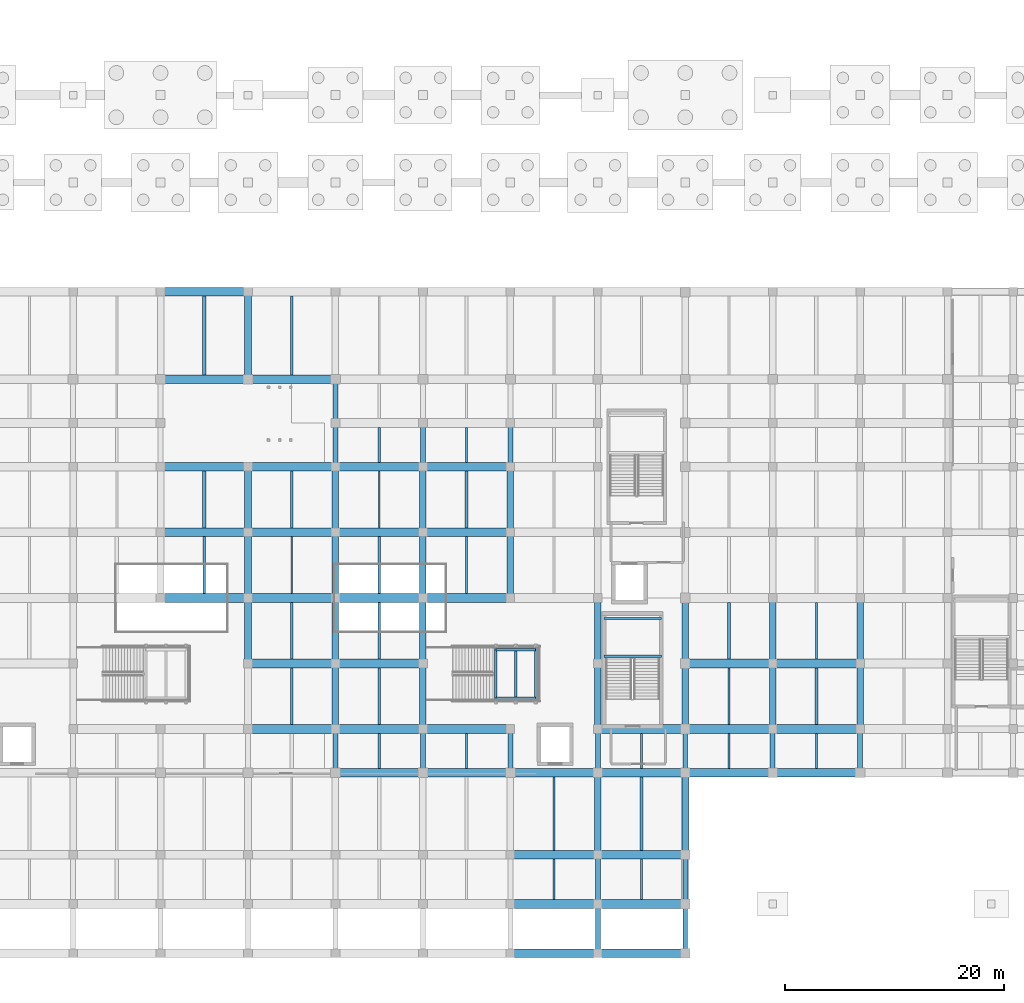
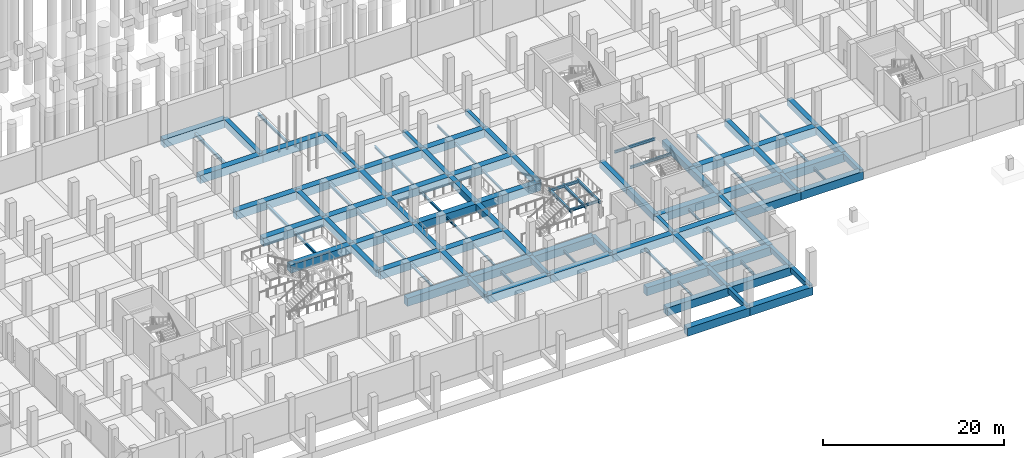
# One storey, part 14 of 36: 112 beams.
"""IFC4 building model written with IfcOpenShell, lengths in metres."""

from ifc_helpers import new_model, si_unit, direction, frame, origin, origin_2d, place, context, subcontext, project, spatial, rectangle, i_section, extrude, material, material_profile, profile_set, type_object, element, save


model = new_model("IFC4")

# Units and contexts
model_context = context("Model", 3, precision=1e-05, world=origin(), true_north=direction((0.0, 1.0)))
body_context = subcontext(model_context, "Body", "Model", "MODEL_VIEW")
ifc_project = project(units=[si_unit("LENGTHUNIT", "METRE"), si_unit("AREAUNIT", "SQUARE_METRE"), si_unit("VOLUMEUNIT", "CUBIC_METRE"), si_unit("PLANEANGLEUNIT", "RADIAN"), si_unit("MASSUNIT", "GRAM", prefix="KILO")], contexts=[model_context])

# Site, building, storey
site_placement = place(None, origin())
site = spatial("IfcSite", under=ifc_project, at=site_placement, CompositionType="ELEMENT")
building_placement = place(site_placement, origin())
building = spatial("IfcBuilding", under=site, at=building_placement, Name="Verrall Gate Interchange", CompositionType="ELEMENT")
storey_placement = place(building_placement, frame((0.0, 0.0, -4.800048828125)))
storey = spatial("IfcBuildingStorey", under=building, at=storey_placement, Name="B1", CompositionType="ELEMENT", Elevation=-4.800048828125)

# Beams
ifc_material_1 = material(Name="Concrete CSA A23.1 35 MPa (Class S-2)", Category="concrete")
ifc_material_profile_1 = material_profile(ifc_material_1, rectangle(XDim=0.800048828125, YDim=1.10009765625, at=origin_2d()), Name="RC800x1100")
ifc_profile_set_1 = profile_set([ifc_material_profile_1], Name="Concrete CSA A23.1 35 MPa (Class S-2)")
beam_type_1 = type_object("IfcBeamType", Name="B-01 Structural Beam RC800x1100", PredefinedType="BEAM", material=ifc_profile_set_1)
for number, where, z_axis, x_axis, name in (
    (1, (92.0, -4.5, -0.550048828125), (1.0, 0.0, 0.0), (0.0, 1.0, 0.0), "B1 Girder BM-B1-0014 (B-01)"),
    (2, (100.0, -4.5, -0.550048828125), (1.0, 0.0, 0.0), (0.0, 1.0, 0.0), "B1 Girder BM-B1-0015 (B-01)"),
    (3, (92.0, 0.0, -0.550048828125), (1.0, 0.0, 0.0), (0.0, 1.0, 0.0), "B1 Girder BM-B1-0029 (B-01)"),
    (4, (100.0, 0.0, -0.550048828125), (1.0, 0.0, 0.0), (0.0, 1.0, 0.0), "B1 Girder BM-B1-0030 (B-01)"),
    (5, (92.0, 4.5, -0.550048828125), (1.0, 0.0, 0.0), (0.0, 1.0, 0.0), "B1 Girder BM-B1-0045 (B-01)"),
    (6, (100.0, 4.5, -0.550048828125), (1.0, 0.0, 0.0), (0.0, 1.0, 0.0), "B1 Girder BM-B1-0046 (B-01)"),
    (7, (76.0, 12.0, -0.550048828125), (1.0, 0.0, 0.0), (0.0, 1.0, 0.0), "B1 Girder BM-B1-0058 (B-01)"),
    (8, (84.0, 12.0, -0.550048828125), (1.0, 0.0, 0.0), (0.0, 1.0, 0.0), "B1 Girder BM-B1-0059 (B-01)"),
    (9, (92.0, 12.0, -0.550048828125), (1.0, 0.0, 0.0), (0.0, 1.0, 0.0), "B1 Girder BM-B1-0060 (B-01)"),
    (10, (100.0, 12.0, -0.550048828125), (1.0, 0.0, 0.0), (0.0, 1.0, 0.0), "B1 Girder BM-B1-0061 (B-01)"),
    (11, (108.0, 12.0, -0.550048828125), (1.0, 0.0, 0.0), (0.0, 1.0, 0.0), "B1 Girder BM-B1-0062 (B-01)"),
    (12, (116.0, 12.0, -0.550048828125), (1.0, 0.0, 0.0), (0.0, 1.0, 0.0), "B1 Girder BM-B1-0063 (B-01)"),
    (13, (68.0, 16.0, -0.550048828125), (1.0, 0.0, 0.0), (0.0, 1.0, 0.0), "B1 Girder BM-B1-0078 (B-01)"),
    (14, (76.0, 16.0, -0.550048828125), (1.0, 0.0, 0.0), (0.0, 1.0, 0.0), "B1 Girder BM-B1-0079 (B-01)"),
    (15, (84.0, 16.0, -0.550048828125), (1.0, 0.0, 0.0), (0.0, 1.0, 0.0), "B1 Girder BM-B1-0080 (B-01)"),
    (16, (100.0, 16.0, -0.550048828125), (1.0, 0.0, 0.0), (0.0, 1.0, 0.0), "B1 Girder BM-B1-0081 (B-01)"),
    (17, (108.0, 16.0, -0.550048828125), (1.0, 0.0, 0.0), (0.0, 1.0, 0.0), "B1 Girder BM-B1-0082 (B-01)"),
    (18, (116.0, 16.0, -0.550048828125), (1.0, 0.0, 0.0), (0.0, 1.0, 0.0), "B1 Girder BM-B1-0083 (B-01)"),
    (19, (68.0, 22.0, -0.550048828125), (1.0, 0.0, 0.0), (0.0, 1.0, 0.0), "B1 Girder BM-B1-0098 (B-01)"),
    (20, (76.0, 22.0, -0.550048828125), (1.0, 0.0, 0.0), (0.0, 1.0, 0.0), "B1 Girder BM-B1-0099 (B-01)"),
    (21, (108.0, 22.0, -0.550048828125), (1.0, 0.0, 0.0), (0.0, 1.0, 0.0), "B1 Girder BM-B1-0100 (B-01)"),
    (22, (116.0, 22.0, -0.550048828125), (1.0, 0.0, 0.0), (0.0, 1.0, 0.0), "B1 Girder BM-B1-0101 (B-01)"),
    (23, (60.0, 28.0, -0.550048828125), (1.0, 0.0, 0.0), (0.0, 1.0, 0.0), "B1 Girder BM-B1-0117 (B-01)"),
    (24, (68.0, 28.0, -0.550048828125), (1.0, 0.0, 0.0), (0.0, 1.0, 0.0), "B1 Girder BM-B1-0118 (B-01)"),
    (25, (76.0, 28.0, -0.550048828125), (1.0, 0.0, 0.0), (0.0, 1.0, 0.0), "B1 Girder BM-B1-0119 (B-01)"),
    (26, (84.0, 28.0, -0.550048828125), (1.0, 0.0, 0.0), (0.0, 1.0, 0.0), "B1 Girder BM-B1-0120 (B-01)"),
    (27, (60.0, 34.0, -0.550048828125), (1.0, 0.0, 0.0), (0.0, 1.0, 0.0), "B1 Girder BM-B1-0137 (B-01)"),
    (28, (68.0, 34.0, -0.550048828125), (1.0, 0.0, 0.0), (0.0, 1.0, 0.0), "B1 Girder BM-B1-0138 (B-01)"),
    (29, (76.0, 34.0, -0.550048828125), (1.0, 0.0, 0.0), (0.0, 1.0, 0.0), "B1 Girder BM-B1-0139 (B-01)"),
    (30, (84.0, 34.0, -0.550048828125), (1.0, 0.0, 0.0), (0.0, 1.0, 0.0), "B1 Girder BM-B1-0140 (B-01)"),
    (31, (60.0, 40.0, -0.550048828125), (1.0, 0.0, 0.0), (0.0, 1.0, 0.0), "B1 Girder BM-B1-0159 (B-01)"),
    (32, (68.0, 40.0, -0.550048828125), (1.0, 0.0, 0.0), (0.0, 1.0, 0.0), "B1 Girder BM-B1-0160 (B-01)"),
    (33, (76.0, 40.0, -0.550048828125), (1.0, 0.0, 0.0), (0.0, 1.0, 0.0), "B1 Girder BM-B1-0161 (B-01)"),
    (34, (84.0, 40.0, -0.550048828125), (1.0, 0.0, 0.0), (0.0, 1.0, 0.0), "B1 Girder BM-B1-0162 (B-01)"),
    (35, (60.0, 48.0, -0.550048828125), (1.0, 0.0, 0.0), (0.0, 1.0, 0.0), "B1 Girder BM-B1-0203 (B-01)"),
    (36, (68.0, 48.0, -0.550048828125), (1.0, 0.0, 0.0), (0.0, 1.0, 0.0), "B1 Girder BM-B1-0204 (B-01)"),
    (37, (60.0, 56.0, -0.550048828125), (1.0, 0.0, 0.0), (0.0, 1.0, 0.0), "B1 Girder BM-B1-0225 (B-01)"),
):
    element("IfcBeam", number, at=place(storey_placement, frame(where, z_axis=z_axis, x_axis=x_axis)), inside=storey, type_object=beam_type_1, Name=name, PredefinedType="BEAM", context=body_context, shape_type="SweptSolid", body=[
        extrude(rectangle(XDim=0.800048828125, YDim=1.10009765625, at=origin_2d()), origin(), (0.0, 0.0, 1.0), 8.0),
    ])
ifc_material_2 = material(Name="Concrete CSA A23.1 40 MPa (Class N)", Category="concrete")
ifc_material_profile_2 = material_profile(ifc_material_2, rectangle(XDim=0.60009765625, YDim=0.89990234375, at=origin_2d()), Name="RC600x900")
ifc_profile_set_2 = profile_set([ifc_material_profile_2], Name="Concrete CSA A23.1 40 MPa (Class N)")
beam_type_2 = type_object("IfcBeamType", Name="B-02 Structural Beam RC600x900", PredefinedType="BEAM", material=ifc_profile_set_2)
for number, where, z_axis, x_axis, name in (
    (38, (68.0, 22.0, -0.449951171875), (0.0, 1.0, 0.0), (-1.0, 0.0, 0.0), "B1 Girder BM-B1-0405 (B-02)"),
    (39, (68.0, 28.0, -0.449951171875), (0.0, 1.0, 0.0), (-1.0, 0.0, 0.0), "B1 Girder BM-B1-0406 (B-02)"),
    (40, (68.0, 34.0, -0.449951171875), (0.0, 1.0, 0.0), (-1.0, 0.0, 0.0), "B1 Girder BM-B1-0407 (B-02)"),
):
    element("IfcBeam", number, at=place(storey_placement, frame(where, z_axis=z_axis, x_axis=x_axis)), inside=storey, type_object=beam_type_2, Name=name, PredefinedType="BEAM", context=body_context, shape_type="SweptSolid", body=[
        extrude(rectangle(XDim=0.60009765625, YDim=0.89990234375, at=origin_2d()), origin(), (0.0, 0.0, 1.0), 6.0),
    ])
beam_1_placement = place(storey_placement, frame((68.0, 48.0, -0.449951171875), z_axis=(0.0, 1.0, 0.0), x_axis=(-1.0, 0.0, 0.0)))
element("IfcBeam", 41, at=beam_1_placement, inside=storey, type_object=beam_type_2, Name="B1 Girder BM-B1-0408 (B-02)", PredefinedType="BEAM", context=body_context, shape_type="SweptSolid", body=[
    extrude(rectangle(XDim=0.60009765625, YDim=0.89990234375, at=origin_2d()), origin(), (0.0, 0.0, 1.0), 8.0),
])
for number, where, z_axis, x_axis, name in (
    (42, (76.0, 16.0, -0.449951171875), (0.0, 1.0, 0.0), (-1.0, 0.0, 0.0), "B1 Girder BM-B1-0413 (B-02)"),
    (43, (76.0, 22.0, -0.449951171875), (0.0, 1.0, 0.0), (-1.0, 0.0, 0.0), "B1 Girder BM-B1-0414 (B-02)"),
    (44, (76.0, 28.0, -0.449951171875), (0.0, 1.0, 0.0), (-1.0, 0.0, 0.0), "B1 Girder BM-B1-0415 (B-02)"),
    (45, (76.0, 34.0, -0.449951171875), (0.0, 1.0, 0.0), (-1.0, 0.0, 0.0), "B1 Girder BM-B1-0416 (B-02)"),
    (46, (84.0, 16.0, -0.449951171875), (0.0, 1.0, 0.0), (-1.0, 0.0, 0.0), "B1 Girder BM-B1-0424 (B-02)"),
    (47, (84.0, 22.0, -0.449951171875), (0.0, 1.0, 0.0), (-1.0, 0.0, 0.0), "B1 Girder BM-B1-0425 (B-02)"),
    (48, (84.0, 28.0, -0.449951171875), (0.0, 1.0, 0.0), (-1.0, 0.0, 0.0), "B1 Girder BM-B1-0426 (B-02)"),
    (49, (84.0, 34.0, -0.449951171875), (0.0, 1.0, 0.0), (-1.0, 0.0, 0.0), "B1 Girder BM-B1-0427 (B-02)"),
    (50, (92.0, 28.0, -0.449951171875), (0.0, 1.0, 0.0), (-1.0, 0.0, 0.0), "B1 Girder BM-B1-0435 (B-02)"),
    (51, (92.0, 34.0, -0.449951171875), (0.0, 1.0, 0.0), (-1.0, 0.0, 0.0), "B1 Girder BM-B1-0436 (B-02)"),
):
    element("IfcBeam", number, at=place(storey_placement, frame(where, z_axis=z_axis, x_axis=x_axis)), inside=storey, type_object=beam_type_2, Name=name, PredefinedType="BEAM", context=body_context, shape_type="SweptSolid", body=[
        extrude(rectangle(XDim=0.60009765625, YDim=0.89990234375, at=origin_2d()), origin(), (0.0, 0.0, 1.0), 6.0),
    ])
beam_2_placement = place(storey_placement, frame((100.0, 4.5, -0.449951171875), z_axis=(0.0, 1.0, 0.0), x_axis=(-1.0, 0.0, 0.0)))
element("IfcBeam", 52, at=beam_2_placement, inside=storey, type_object=beam_type_2, Name="B1 Girder BM-B1-0442 (B-02)", PredefinedType="BEAM", context=body_context, shape_type="SweptSolid", body=[
    extrude(rectangle(XDim=0.60009765625, YDim=0.89990234375, at=origin_2d()), origin(), (0.0, 0.0, 1.0), 7.5),
])
for number, where, z_axis, x_axis, name in (
    (53, (100.0, 16.0, -0.449951171875), (0.0, 1.0, 0.0), (-1.0, 0.0, 0.0), "B1 Girder BM-B1-0444 (B-02)"),
    (54, (100.0, 22.0, -0.449951171875), (0.0, 1.0, 0.0), (-1.0, 0.0, 0.0), "B1 Girder BM-B1-0445 (B-02)"),
):
    element("IfcBeam", number, at=place(storey_placement, frame(where, z_axis=z_axis, x_axis=x_axis)), inside=storey, type_object=beam_type_2, Name=name, PredefinedType="BEAM", context=body_context, shape_type="SweptSolid", body=[
        extrude(rectangle(XDim=0.60009765625, YDim=0.89990234375, at=origin_2d()), origin(), (0.0, 0.0, 1.0), 6.0),
    ])
beam_3_placement = place(storey_placement, frame((108.0, 4.5, -0.449951171875), z_axis=(0.0, 1.0, 0.0), x_axis=(-1.0, 0.0, 0.0)))
element("IfcBeam", 55, at=beam_3_placement, inside=storey, type_object=beam_type_2, Name="B1 Girder BM-B1-0453 (B-02)", PredefinedType="BEAM", context=body_context, shape_type="SweptSolid", body=[
    extrude(rectangle(XDim=0.60009765625, YDim=0.89990234375, at=origin_2d()), origin(), (0.0, 0.0, 1.0), 7.5),
])
for number, where, z_axis, x_axis, name in (
    (56, (108.0, 16.0, -0.449951171875), (0.0, 1.0, 0.0), (-1.0, 0.0, 0.0), "B1 Girder BM-B1-0455 (B-02)"),
    (57, (108.0, 22.0, -0.449951171875), (0.0, 1.0, 0.0), (-1.0, 0.0, 0.0), "B1 Girder BM-B1-0456 (B-02)"),
    (58, (116.0, 16.0, -0.449951171875), (0.0, 1.0, 0.0), (-1.0, 0.0, 0.0), "B1 Girder BM-B1-0463 (B-02)"),
    (59, (116.0, 22.0, -0.449951171875), (0.0, 1.0, 0.0), (-1.0, 0.0, 0.0), "B1 Girder BM-B1-0464 (B-02)"),
    (60, (124.0, 16.0, -0.449951171875), (0.0, 1.0, 0.0), (-1.0, 0.0, 0.0), "B1 Girder BM-B1-0471 (B-02)"),
    (61, (124.0, 22.0, -0.449951171875), (0.0, 1.0, 0.0), (-1.0, 0.0, 0.0), "B1 Girder BM-B1-0472 (B-02)"),
):
    element("IfcBeam", number, at=place(storey_placement, frame(where, z_axis=z_axis, x_axis=x_axis)), inside=storey, type_object=beam_type_2, Name=name, PredefinedType="BEAM", context=body_context, shape_type="SweptSolid", body=[
        extrude(rectangle(XDim=0.60009765625, YDim=0.89990234375, at=origin_2d()), origin(), (0.0, 0.0, 1.0), 6.0),
    ])
ifc_material_3 = material(Name="Concrete CSA A23.1 40 MPa (Class N)", Category="concrete")
ifc_material_profile_3 = material_profile(ifc_material_3, rectangle(XDim=0.449951171875, YDim=0.699951171875, at=origin_2d()), Name="RC450x700")
ifc_profile_set_3 = profile_set([ifc_material_profile_3], Name="Concrete CSA A23.1 40 MPa (Class N)")
beam_type_3 = type_object("IfcBeamType", Name="B-03 Structural Beam RC450x700", PredefinedType="BEAM", material=ifc_profile_set_3)
for number, where, z_axis, x_axis, name in (
    (62, (76.0, 12.0, -0.349853515625), (0.0, 1.0, 0.0), (-1.0, 0.0, 0.0), "B1 Girder BM-B1-0412 (B-03)"),
    (63, (76.0, 40.0, -0.349853515625), (0.0, 1.0, 0.0), (-1.0, 0.0, 0.0), "B1 Girder BM-B1-0417 (B-03)"),
    (64, (76.0, 44.0, -0.349853515625), (0.0, 1.0, 0.0), (-1.0, 0.0, 0.0), "B1 Girder BM-B1-0418 (B-03)"),
    (65, (84.0, 12.0, -0.349853515625), (0.0, 1.0, 0.0), (-1.0, 0.0, 0.0), "B1 Girder BM-B1-0423 (B-03)"),
    (66, (84.0, 40.0, -0.349853515625), (0.0, 1.0, 0.0), (-1.0, 0.0, 0.0), "B1 Girder BM-B1-0428 (B-03)"),
    (67, (92.0, 12.0, -0.349853515625), (0.0, 1.0, 0.0), (-1.0, 0.0, 0.0), "B1 Girder BM-B1-0434 (B-03)"),
    (68, (92.0, 40.0, -0.349853515625), (0.0, 1.0, 0.0), (-1.0, 0.0, 0.0), "B1 Girder BM-B1-0437 (B-03)"),
):
    element("IfcBeam", number, at=place(storey_placement, frame(where, z_axis=z_axis, x_axis=x_axis)), inside=storey, type_object=beam_type_3, Name=name, PredefinedType="BEAM", context=body_context, shape_type="SweptSolid", body=[
        extrude(rectangle(XDim=0.449951171875, YDim=0.699951171875, at=origin_2d()), origin(), (0.0, 0.0, 1.0), 4.0),
    ])
for number, where, z_axis, x_axis, name in (
    (69, (100.0, -4.5, -0.349853515625), (0.0, 1.0, 0.0), (-1.0, 0.0, 0.0), "B1 Girder BM-B1-0440 (B-03)"),
    (70, (100.0, 0.0, -0.349853515625), (0.0, 1.0, 0.0), (-1.0, 0.0, 0.0), "B1 Girder BM-B1-0441 (B-03)"),
):
    element("IfcBeam", number, at=place(storey_placement, frame(where, z_axis=z_axis, x_axis=x_axis)), inside=storey, type_object=beam_type_3, Name=name, PredefinedType="BEAM", context=body_context, shape_type="SweptSolid", body=[
        extrude(rectangle(XDim=0.449951171875, YDim=0.699951171875, at=origin_2d()), origin(), (0.0, 0.0, 1.0), 4.5),
    ])
beam_4_placement = place(storey_placement, frame((100.0, 12.0, -0.349853515625), z_axis=(0.0, 1.0, 0.0), x_axis=(-1.0, 0.0, 0.0)))
element("IfcBeam", 71, at=beam_4_placement, inside=storey, type_object=beam_type_3, Name="B1 Girder BM-B1-0443 (B-03)", PredefinedType="BEAM", context=body_context, shape_type="SweptSolid", body=[
    extrude(rectangle(XDim=0.449951171875, YDim=0.699951171875, at=origin_2d()), origin(), (0.0, 0.0, 1.0), 4.0),
])
for number, where, z_axis, x_axis, name in (
    (72, (108.0, -4.5, -0.349853515625), (0.0, 1.0, 0.0), (-1.0, 0.0, 0.0), "B1 Girder BM-B1-0451 (B-03)"),
    (73, (108.0, 0.0, -0.349853515625), (0.0, 1.0, 0.0), (-1.0, 0.0, 0.0), "B1 Girder BM-B1-0452 (B-03)"),
):
    element("IfcBeam", number, at=place(storey_placement, frame(where, z_axis=z_axis, x_axis=x_axis)), inside=storey, type_object=beam_type_3, Name=name, PredefinedType="BEAM", context=body_context, shape_type="SweptSolid", body=[
        extrude(rectangle(XDim=0.449951171875, YDim=0.699951171875, at=origin_2d()), origin(), (0.0, 0.0, 1.0), 4.5),
    ])
for number, where, z_axis, x_axis, name in (
    (74, (108.0, 12.0, -0.349853515625), (0.0, 1.0, 0.0), (-1.0, 0.0, 0.0), "B1 Girder BM-B1-0454 (B-03)"),
    (75, (116.0, 12.0, -0.349853515625), (0.0, 1.0, 0.0), (-1.0, 0.0, 0.0), "B1 Girder BM-B1-0462 (B-03)"),
    (76, (124.0, 12.0, -0.349853515625), (0.0, 1.0, 0.0), (-1.0, 0.0, 0.0), "B1 Girder BM-B1-0470 (B-03)"),
):
    element("IfcBeam", number, at=place(storey_placement, frame(where, z_axis=z_axis, x_axis=x_axis)), inside=storey, type_object=beam_type_3, Name=name, PredefinedType="BEAM", context=body_context, shape_type="SweptSolid", body=[
        extrude(rectangle(XDim=0.449951171875, YDim=0.699951171875, at=origin_2d()), origin(), (0.0, 0.0, 1.0), 4.0),
    ])
ifc_material_4 = material(Name="Structural Steel CSA G40.21 350W", Category="steel")
ifc_material_profile_4 = material_profile(ifc_material_4, i_section(OverallWidth=0.205078125, OverallDepth=0.35400390625, WebThickness=0.009521484375, FlangeThickness=0.016845703125, FilletRadius=0.012939453125, at=origin_2d()), Name="W360x79")
ifc_profile_set_4 = profile_set([ifc_material_profile_4], Name="Structural Steel CSA G40.21 350W")
beam_type_4 = type_object("IfcBeamType", Name="B-14 Structural Beam W360x79", PredefinedType="BEAM", material=ifc_profile_set_4)
for number, where, z_axis, x_axis, name in (
    (77, (100.570068359375, 22.669921875, 2.030029296875), (1.0, 0.0, 0.0), (0.0, 1.0, 0.0), "B1 Core C6 Mid-Landing Beam 1"),
    (78, (100.570068359375, 26.1201171875, 2.030029296875), (1.0, 0.0, 0.0), (0.0, 1.0, 0.0), "B1 Core C6 Mid-Landing Beam 2"),
):
    element("IfcBeam", number, at=place(storey_placement, frame(where, z_axis=z_axis, x_axis=x_axis)), inside=storey, type_object=beam_type_4, Name=name, PredefinedType="BEAM", context=body_context, shape_type="SweptSolid", body=[
        extrude(i_section(OverallWidth=0.205078125, OverallDepth=0.35400390625, WebThickness=0.009521484375, FlangeThickness=0.016845703125, FilletRadius=0.012939453125, at=origin_2d()), origin(), (0.0, 0.0, 1.0), 5.239990234375),
    ])
for number, where, z_axis, x_axis, name in (
    (79, (90.669921875, 18.43994140625, 2.030029296875), (0.0, 1.0, 0.0), (-1.0, 0.0, 0.0), "B1 ST-11 Mid-Landing Beam"),
    (80, (92.4951171875, 18.43994140625, 2.030029296875), (0.0, 1.0, 0.0), (-1.0, 0.0, 0.0), "B1 ST-11 Mid-Landing Beam"),
    (81, (94.320068359375, 18.43994140625, 2.030029296875), (0.0, 1.0, 0.0), (-1.0, 0.0, 0.0), "B1 ST-11 Mid-Landing Beam"),
):
    element("IfcBeam", number, at=place(storey_placement, frame(where, z_axis=z_axis, x_axis=x_axis)), inside=storey, type_object=beam_type_4, Name=name, PredefinedType="BEAM", context=body_context, shape_type="SweptSolid", body=[
        extrude(i_section(OverallWidth=0.205078125, OverallDepth=0.35400390625, WebThickness=0.009521484375, FlangeThickness=0.016845703125, FilletRadius=0.012939453125, at=origin_2d()), origin(), (0.0, 0.0, 1.0), 5.219970703125),
    ])
for number, where, z_axis, x_axis, name in (
    (82, (90.669921875, 18.85009765625, 2.030029296875), (1.0, 0.0, 0.0), (0.0, 1.0, 0.0), "B1 ST-11 Mid-Landing Edge Beam 1"),
    (83, (90.669921875, 23.25, 2.030029296875), (1.0, 0.0, 0.0), (0.0, 1.0, 0.0), "B1 ST-11 Mid-Landing Edge Beam 2"),
):
    element("IfcBeam", number, at=place(storey_placement, frame(where, z_axis=z_axis, x_axis=x_axis)), inside=storey, type_object=beam_type_4, Name=name, PredefinedType="BEAM", context=body_context, shape_type="SweptSolid", body=[
        extrude(i_section(OverallWidth=0.205078125, OverallDepth=0.35400390625, WebThickness=0.009521484375, FlangeThickness=0.016845703125, FilletRadius=0.012939453125, at=origin_2d()), origin(), (0.0, 0.0, 1.0), 3.650146484375),
    ])
ifc_material_5 = material(Name="Structural Steel CSA G40.21 350W", Category="steel")
ifc_material_profile_5 = material_profile(ifc_material_5, i_section(OverallWidth=0.172119140625, OverallDepth=0.35791015625, WebThickness=0.0078125, FlangeThickness=0.01318359375, FilletRadius=0.010986328125, at=origin_2d()), Name="W360x57")
ifc_profile_set_5 = profile_set([ifc_material_profile_5], Name="Structural Steel CSA G40.21 350W")
beam_type_5 = type_object("IfcBeamType", Name="J-01 Floor Joist W360x57", PredefinedType="JOIST", material=ifc_profile_set_5)
beam_5_placement = place(storey_placement, frame((104.0, 0.39990234375, -0.62890625), z_axis=(0.0, 1.0, 0.0), x_axis=(-1.0, 0.0, 0.0)))
element("IfcBeam", 84, at=beam_5_placement, inside=storey, type_object=beam_type_5, Name="B1 Secondary Floor Joist JST-B1-0547", PredefinedType="JOIST", context=body_context, shape_type="SweptSolid", body=[
    extrude(i_section(OverallWidth=0.172119140625, OverallDepth=0.35791015625, WebThickness=0.0078125, FlangeThickness=0.01318359375, FilletRadius=0.010986328125, at=origin_2d()), origin(), (0.0, 0.0, 1.0), 3.7001953125),
])
beam_6_placement = place(storey_placement, frame((120.0, 12.39990234375, -0.62890625), z_axis=(0.0, 1.0, 0.0), x_axis=(-1.0, 0.0, 0.0)))
element("IfcBeam", 85, at=beam_6_placement, inside=storey, type_object=beam_type_5, Name="B1 Secondary Floor Joist JST-B1-0574", PredefinedType="JOIST", context=body_context, shape_type="SweptSolid", body=[
    extrude(i_section(OverallWidth=0.172119140625, OverallDepth=0.35791015625, WebThickness=0.0078125, FlangeThickness=0.01318359375, FilletRadius=0.010986328125, at=origin_2d()), origin(), (0.0, 0.0, 1.0), 3.2001953125),
])
ifc_material_6 = material(Name="Structural Steel CSA G40.21 350W", Category="steel")
ifc_material_profile_6 = material_profile(ifc_material_6, i_section(OverallWidth=0.306884765625, OverallDepth=0.31396484375, WebThickness=0.011962890625, FlangeThickness=0.018798828125, FilletRadius=0.013916015625, at=origin_2d()), Name="W310x118")
ifc_profile_set_6 = profile_set([ifc_material_profile_6], Name="Structural Steel CSA G40.21 350W")
beam_type_6 = type_object("IfcBeamType", Name="J-02 Floor Joist W310x118", PredefinedType="JOIST", material=ifc_profile_set_6)
beam_7_placement = place(storey_placement, frame((64.0, 34.39990234375, -0.60693359375), z_axis=(0.0, 1.0, 0.0), x_axis=(-1.0, 0.0, 0.0)))
element("IfcBeam", 86, at=beam_7_placement, inside=storey, type_object=beam_type_6, Name="B1 Secondary Floor Joist JST-B1-0633", PredefinedType="JOIST", context=body_context, shape_type="SweptSolid", body=[
    extrude(i_section(OverallWidth=0.306884765625, OverallDepth=0.31396484375, WebThickness=0.011962890625, FlangeThickness=0.018798828125, FilletRadius=0.013916015625, at=origin_2d()), origin(), (0.0, 0.0, 1.0), 5.2001953125),
])
beam_8_placement = place(storey_placement, frame((64.0, 48.39990234375, -0.60693359375), z_axis=(0.0, 1.0, 0.0), x_axis=(-1.0, 0.0, 0.0)))
element("IfcBeam", 87, at=beam_8_placement, inside=storey, type_object=beam_type_6, Name="B1 Secondary Floor Joist JST-B1-0689", PredefinedType="JOIST", context=body_context, shape_type="SweptSolid", body=[
    extrude(i_section(OverallWidth=0.306884765625, OverallDepth=0.31396484375, WebThickness=0.011962890625, FlangeThickness=0.018798828125, FilletRadius=0.013916015625, at=origin_2d()), origin(), (0.0, 0.0, 1.0), 7.2001953125),
])
ifc_material_7 = material(Name="Structural Steel CSA G40.21 350W", Category="steel")
ifc_material_profile_7 = material_profile(ifc_material_7, i_section(OverallWidth=0.25390625, OverallDepth=0.305908203125, WebThickness=0.0087890625, FlangeThickness=0.0146484375, FilletRadius=0.012939453125, at=origin_2d()), Name="W310x79")
ifc_profile_set_7 = profile_set([ifc_material_profile_7], Name="Structural Steel CSA G40.21 350W")
beam_type_7 = type_object("IfcBeamType", Name="J-03 Floor Joist W310x79", PredefinedType="JOIST", material=ifc_profile_set_7)
beam_9_placement = place(storey_placement, frame((80.0, 12.39990234375, -0.60302734375), z_axis=(0.0, 1.0, 0.0), x_axis=(-1.0, 0.0, 0.0)))
element("IfcBeam", 88, at=beam_9_placement, inside=storey, type_object=beam_type_7, Name="B1 Secondary Floor Joist JST-B1-0570", PredefinedType="JOIST", context=body_context, shape_type="SweptSolid", body=[
    extrude(i_section(OverallWidth=0.25390625, OverallDepth=0.305908203125, WebThickness=0.0087890625, FlangeThickness=0.0146484375, FilletRadius=0.012939453125, at=origin_2d()), origin(), (0.0, 0.0, 1.0), 3.2001953125),
])
for number, where, z_axis, x_axis, name in (
    (89, (112.0, 22.39990234375, -0.60302734375), (0.0, 1.0, 0.0), (-1.0, 0.0, 0.0), "B1 Secondary Floor Joist JST-B1-0601"),
    (90, (64.0, 28.39990234375, -0.60302734375), (0.0, 1.0, 0.0), (-1.0, 0.0, 0.0), "B1 Secondary Floor Joist JST-B1-0616"),
    (91, (72.0, 34.39990234375, -0.60302734375), (0.0, 1.0, 0.0), (-1.0, 0.0, 0.0), "B1 Secondary Floor Joist JST-B1-0634"),
):
    element("IfcBeam", number, at=place(storey_placement, frame(where, z_axis=z_axis, x_axis=x_axis)), inside=storey, type_object=beam_type_7, Name=name, PredefinedType="JOIST", context=body_context, shape_type="SweptSolid", body=[
        extrude(i_section(OverallWidth=0.25390625, OverallDepth=0.305908203125, WebThickness=0.0087890625, FlangeThickness=0.0146484375, FilletRadius=0.012939453125, at=origin_2d()), origin(), (0.0, 0.0, 1.0), 5.2001953125),
    ])
beam_10_placement = place(storey_placement, frame((80.0, 40.39990234375, -0.60302734375), z_axis=(0.0, 1.0, 0.0), x_axis=(-1.0, 0.0, 0.0)))
element("IfcBeam", 92, at=beam_10_placement, inside=storey, type_object=beam_type_7, Name="B1 Secondary Floor Joist JST-B1-0652", PredefinedType="JOIST", context=body_context, shape_type="SweptSolid", body=[
    extrude(i_section(OverallWidth=0.25390625, OverallDepth=0.305908203125, WebThickness=0.0087890625, FlangeThickness=0.0146484375, FilletRadius=0.012939453125, at=origin_2d()), origin(), (0.0, 0.0, 1.0), 3.2001953125),
])
beam_11_placement = place(storey_placement, frame((72.0, 48.39990234375, -0.60302734375), z_axis=(0.0, 1.0, 0.0), x_axis=(-1.0, 0.0, 0.0)))
element("IfcBeam", 93, at=beam_11_placement, inside=storey, type_object=beam_type_7, Name="B1 Secondary Floor Joist JST-B1-0690", PredefinedType="JOIST", context=body_context, shape_type="SweptSolid", body=[
    extrude(i_section(OverallWidth=0.25390625, OverallDepth=0.305908203125, WebThickness=0.0087890625, FlangeThickness=0.0146484375, FilletRadius=0.012939453125, at=origin_2d()), origin(), (0.0, 0.0, 1.0), 7.2001953125),
])
ifc_material_8 = material(Name="Structural Steel CSA G40.21 350W", Category="steel")
ifc_material_profile_8 = material_profile(ifc_material_8, i_section(OverallWidth=0.1650390625, OverallDepth=0.31005859375, WebThickness=0.005859375, FlangeThickness=0.009765625, FilletRadius=0.010009765625, at=origin_2d()), Name="W310x39")
ifc_profile_set_8 = profile_set([ifc_material_profile_8], Name="Structural Steel CSA G40.21 350W")
beam_type_8 = type_object("IfcBeamType", Name="J-04 Floor Joist W310x39", PredefinedType="JOIST", material=ifc_profile_set_8)
beam_12_placement = place(storey_placement, frame((96.0, 4.89990234375, -0.60498046875), z_axis=(0.0, 1.0, 0.0), x_axis=(-1.0, 0.0, 0.0)))
element("IfcBeam", 94, at=beam_12_placement, inside=storey, type_object=beam_type_8, Name="B1 Secondary Floor Joist JST-B1-0560", PredefinedType="JOIST", context=body_context, shape_type="SweptSolid", body=[
    extrude(i_section(OverallWidth=0.1650390625, OverallDepth=0.31005859375, WebThickness=0.005859375, FlangeThickness=0.009765625, FilletRadius=0.010009765625, at=origin_2d()), origin(), (0.0, 0.0, 1.0), 6.7001953125),
])
beam_13_placement = place(storey_placement, frame((88.0, 12.39990234375, -0.60498046875), z_axis=(0.0, 1.0, 0.0), x_axis=(-1.0, 0.0, 0.0)))
element("IfcBeam", 95, at=beam_13_placement, inside=storey, type_object=beam_type_8, Name="B1 Secondary Floor Joist JST-B1-0571", PredefinedType="JOIST", context=body_context, shape_type="SweptSolid", body=[
    extrude(i_section(OverallWidth=0.1650390625, OverallDepth=0.31005859375, WebThickness=0.005859375, FlangeThickness=0.009765625, FilletRadius=0.010009765625, at=origin_2d()), origin(), (0.0, 0.0, 1.0), 3.2001953125),
])
for number, where, z_axis, x_axis, name in (
    (96, (112.0, 16.39990234375, -0.60498046875), (0.0, 1.0, 0.0), (-1.0, 0.0, 0.0), "B1 Secondary Floor Joist JST-B1-0587"),
    (97, (120.0, 22.39990234375, -0.60498046875), (0.0, 1.0, 0.0), (-1.0, 0.0, 0.0), "B1 Secondary Floor Joist JST-B1-0602"),
    (98, (72.0, 28.39990234375, -0.60498046875), (0.0, 1.0, 0.0), (-1.0, 0.0, 0.0), "B1 Secondary Floor Joist JST-B1-0617"),
    (99, (80.0, 34.39990234375, -0.60498046875), (0.0, 1.0, 0.0), (-1.0, 0.0, 0.0), "B1 Secondary Floor Joist JST-B1-0635"),
):
    element("IfcBeam", number, at=place(storey_placement, frame(where, z_axis=z_axis, x_axis=x_axis)), inside=storey, type_object=beam_type_8, Name=name, PredefinedType="JOIST", context=body_context, shape_type="SweptSolid", body=[
        extrude(i_section(OverallWidth=0.1650390625, OverallDepth=0.31005859375, WebThickness=0.005859375, FlangeThickness=0.009765625, FilletRadius=0.010009765625, at=origin_2d()), origin(), (0.0, 0.0, 1.0), 5.2001953125),
    ])
beam_14_placement = place(storey_placement, frame((88.0, 40.39990234375, -0.60498046875), z_axis=(0.0, 1.0, 0.0), x_axis=(-1.0, 0.0, 0.0)))
element("IfcBeam", 100, at=beam_14_placement, inside=storey, type_object=beam_type_8, Name="B1 Secondary Floor Joist JST-B1-0653", PredefinedType="JOIST", context=body_context, shape_type="SweptSolid", body=[
    extrude(i_section(OverallWidth=0.1650390625, OverallDepth=0.31005859375, WebThickness=0.005859375, FlangeThickness=0.009765625, FilletRadius=0.010009765625, at=origin_2d()), origin(), (0.0, 0.0, 1.0), 3.2001953125),
])
ifc_material_9 = material(Name="Structural Steel CSA G40.21 350W", Category="steel")
ifc_material_profile_9 = material_profile(ifc_material_9, i_section(OverallWidth=0.25390625, OverallDepth=0.2529296875, WebThickness=0.008544921875, FlangeThickness=0.01416015625, FilletRadius=0.011962890625, at=origin_2d()), Name="W250x73")
ifc_profile_set_9 = profile_set([ifc_material_profile_9], Name="Structural Steel CSA G40.21 350W")
beam_type_9 = type_object("IfcBeamType", Name="J-05 Floor Joist W250x73", PredefinedType="JOIST", material=ifc_profile_set_9)
beam_15_placement = place(storey_placement, frame((104.0, 4.89990234375, -0.576416015625), z_axis=(0.0, 1.0, 0.0), x_axis=(-1.0, 0.0, 0.0)))
element("IfcBeam", 101, at=beam_15_placement, inside=storey, type_object=beam_type_9, Name="B1 Secondary Floor Joist JST-B1-0561", PredefinedType="JOIST", context=body_context, shape_type="SweptSolid", body=[
    extrude(i_section(OverallWidth=0.25390625, OverallDepth=0.2529296875, WebThickness=0.008544921875, FlangeThickness=0.01416015625, FilletRadius=0.011962890625, at=origin_2d()), origin(), (0.0, 0.0, 1.0), 6.7001953125),
])
for number, where, z_axis, x_axis, name in (
    (102, (120.0, 16.39990234375, -0.576416015625), (0.0, 1.0, 0.0), (-1.0, 0.0, 0.0), "B1 Secondary Floor Joist JST-B1-0588"),
    (103, (72.0, 22.39990234375, -0.576416015625), (0.0, 1.0, 0.0), (-1.0, 0.0, 0.0), "B1 Secondary Floor Joist JST-B1-0599"),
    (104, (80.0, 28.39990234375, -0.576416015625), (0.0, 1.0, 0.0), (-1.0, 0.0, 0.0), "B1 Secondary Floor Joist JST-B1-0618"),
    (105, (88.0, 34.39990234375, -0.576416015625), (0.0, 1.0, 0.0), (-1.0, 0.0, 0.0), "B1 Secondary Floor Joist JST-B1-0636"),
):
    element("IfcBeam", number, at=place(storey_placement, frame(where, z_axis=z_axis, x_axis=x_axis)), inside=storey, type_object=beam_type_9, Name=name, PredefinedType="JOIST", context=body_context, shape_type="SweptSolid", body=[
        extrude(i_section(OverallWidth=0.25390625, OverallDepth=0.2529296875, WebThickness=0.008544921875, FlangeThickness=0.01416015625, FilletRadius=0.011962890625, at=origin_2d()), origin(), (0.0, 0.0, 1.0), 5.2001953125),
    ])
ifc_material_10 = material(Name="Structural Steel CSA G40.21 350W", Category="steel")
ifc_material_profile_10 = material_profile(ifc_material_10, i_section(OverallWidth=0.201904296875, OverallDepth=0.2470703125, WebThickness=0.00732421875, FlangeThickness=0.010986328125, FilletRadius=0.010986328125, at=origin_2d()), Name="W250x49")
ifc_profile_set_10 = profile_set([ifc_material_profile_10], Name="Structural Steel CSA G40.21 350W")
beam_type_10 = type_object("IfcBeamType", Name="J-06 Floor Joist W250x49", PredefinedType="JOIST", material=ifc_profile_set_10)
beam_16_placement = place(storey_placement, frame((104.0, 12.39990234375, -0.573486328125), z_axis=(0.0, 1.0, 0.0), x_axis=(-1.0, 0.0, 0.0)))
element("IfcBeam", 106, at=beam_16_placement, inside=storey, type_object=beam_type_10, Name="B1 Secondary Floor Joist JST-B1-0572", PredefinedType="JOIST", context=body_context, shape_type="SweptSolid", body=[
    extrude(i_section(OverallWidth=0.201904296875, OverallDepth=0.2470703125, WebThickness=0.00732421875, FlangeThickness=0.010986328125, FilletRadius=0.010986328125, at=origin_2d()), origin(), (0.0, 0.0, 1.0), 3.2001953125),
])
for number, where, z_axis, x_axis, name in (
    (107, (72.0, 16.39990234375, -0.573486328125), (0.0, 1.0, 0.0), (-1.0, 0.0, 0.0), "B1 Secondary Floor Joist JST-B1-0585"),
    (108, (80.0, 22.39990234375, -0.573486328125), (0.0, 1.0, 0.0), (-1.0, 0.0, 0.0), "B1 Secondary Floor Joist JST-B1-0600"),
    (109, (88.0, 28.39990234375, -0.573486328125), (0.0, 1.0, 0.0), (-1.0, 0.0, 0.0), "B1 Secondary Floor Joist JST-B1-0619"),
):
    element("IfcBeam", number, at=place(storey_placement, frame(where, z_axis=z_axis, x_axis=x_axis)), inside=storey, type_object=beam_type_10, Name=name, PredefinedType="JOIST", context=body_context, shape_type="SweptSolid", body=[
        extrude(i_section(OverallWidth=0.201904296875, OverallDepth=0.2470703125, WebThickness=0.00732421875, FlangeThickness=0.010986328125, FilletRadius=0.010986328125, at=origin_2d()), origin(), (0.0, 0.0, 1.0), 5.2001953125),
    ])
ifc_material_11 = material(Name="Structural Steel CSA G40.21 350W", Category="steel")
ifc_material_profile_11 = material_profile(ifc_material_11, i_section(OverallWidth=0.202880859375, OverallDepth=0.202880859375, WebThickness=0.007080078125, FlangeThickness=0.010986328125, FilletRadius=0.010009765625, at=origin_2d()), Name="W200x46")
ifc_profile_set_11 = profile_set([ifc_material_profile_11], Name="Structural Steel CSA G40.21 350W")
beam_type_11 = type_object("IfcBeamType", Name="J-07 Floor Joist W200x46", PredefinedType="JOIST", material=ifc_profile_set_11)
beam_17_placement = place(storey_placement, frame((96.0, 0.39990234375, -0.551513671875), z_axis=(0.0, 1.0, 0.0), x_axis=(-1.0, 0.0, 0.0)))
element("IfcBeam", 110, at=beam_17_placement, inside=storey, type_object=beam_type_11, Name="B1 Secondary Floor Joist JST-B1-0546", PredefinedType="JOIST", context=body_context, shape_type="SweptSolid", body=[
    extrude(i_section(OverallWidth=0.202880859375, OverallDepth=0.202880859375, WebThickness=0.007080078125, FlangeThickness=0.010986328125, FilletRadius=0.010009765625, at=origin_2d()), origin(), (0.0, 0.0, 1.0), 3.7001953125),
])
beam_18_placement = place(storey_placement, frame((112.0, 12.39990234375, -0.551513671875), z_axis=(0.0, 1.0, 0.0), x_axis=(-1.0, 0.0, 0.0)))
element("IfcBeam", 111, at=beam_18_placement, inside=storey, type_object=beam_type_11, Name="B1 Secondary Floor Joist JST-B1-0573", PredefinedType="JOIST", context=body_context, shape_type="SweptSolid", body=[
    extrude(i_section(OverallWidth=0.202880859375, OverallDepth=0.202880859375, WebThickness=0.007080078125, FlangeThickness=0.010986328125, FilletRadius=0.010009765625, at=origin_2d()), origin(), (0.0, 0.0, 1.0), 3.2001953125),
])
beam_19_placement = place(storey_placement, frame((80.0, 16.39990234375, -0.551513671875), z_axis=(0.0, 1.0, 0.0), x_axis=(-1.0, 0.0, 0.0)))
element("IfcBeam", 112, at=beam_19_placement, inside=storey, type_object=beam_type_11, Name="B1 Secondary Floor Joist JST-B1-0586", PredefinedType="JOIST", context=body_context, shape_type="SweptSolid", body=[
    extrude(i_section(OverallWidth=0.202880859375, OverallDepth=0.202880859375, WebThickness=0.007080078125, FlangeThickness=0.010986328125, FilletRadius=0.010009765625, at=origin_2d()), origin(), (0.0, 0.0, 1.0), 5.2001953125),
])

save(model, "model.ifc")
